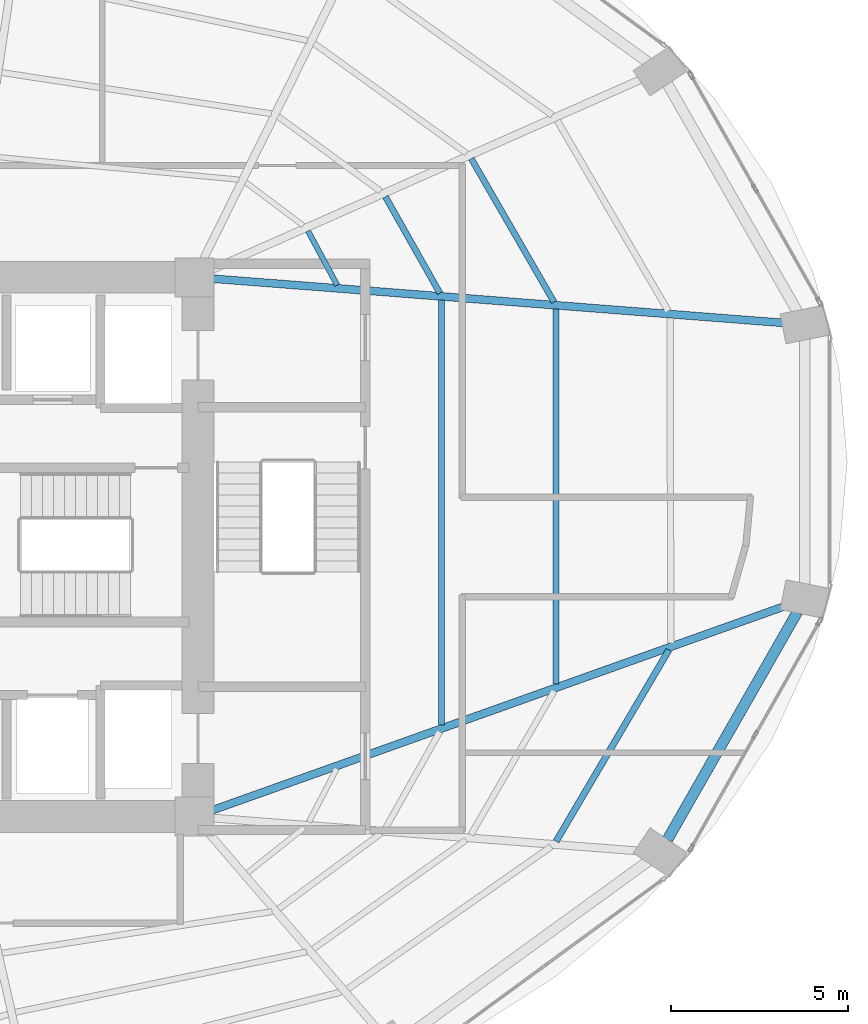
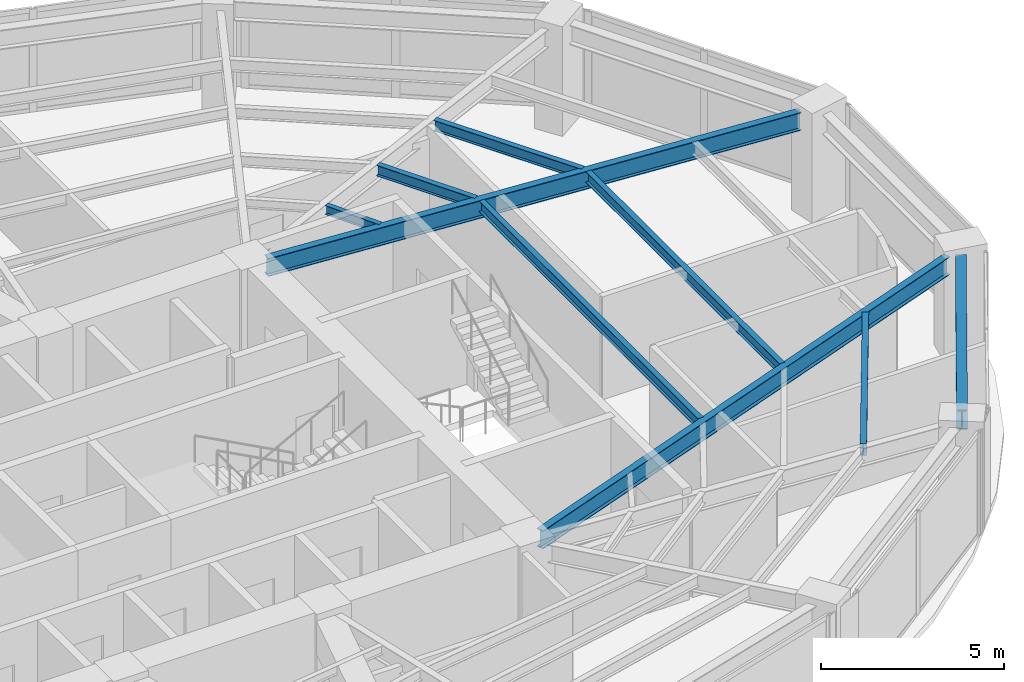
# One storey, part 11 of 24: 9 beams.
"""IFC4 building model written with IfcOpenShell, lengths in metres."""

from ifc_helpers import new_model, si_unit, direction, frame, origin, origin_2d, place, context, subcontext, project, spatial, i_section, extrude, material, material_profile, profile_set, type_object, element, save


model = new_model("IFC4")

# Units and contexts
model_context = context("Model", 3, precision=1e-05, world=origin(), true_north=direction((0.0, 1.0)))
body_context = subcontext(model_context, "Body", "Model", "MODEL_VIEW")
ifc_project = project(units=[si_unit("LENGTHUNIT", "METRE"), si_unit("AREAUNIT", "SQUARE_METRE"), si_unit("VOLUMEUNIT", "CUBIC_METRE"), si_unit("PLANEANGLEUNIT", "RADIAN"), si_unit("MASSUNIT", "GRAM", prefix="KILO")], contexts=[model_context])

# Site, building, storey
site_placement = place(None, origin())
site = spatial("IfcSite", under=ifc_project, at=site_placement, CompositionType="ELEMENT")
building_placement = place(site_placement, origin())
building = spatial("IfcBuilding", under=site, at=building_placement, Name="Lazwardi Medical Tower", CompositionType="ELEMENT")
storey_placement = place(building_placement, frame((0.0, 0.0, 36.14404296875)))
storey = spatial("IfcBuildingStorey", under=building, at=storey_placement, Name="L08", CompositionType="ELEMENT", Elevation=36.14404296875)

# Beams
ifc_material = material(Name="Steel S355", Category="steel")
ifc_material_profile_1 = material_profile(ifc_material, i_section(OverallWidth=0.300048828125, OverallDepth=0.64990234375, WebThickness=0.01611328125, FlangeThickness=0.031005859375, at=origin_2d()), Name="HEB 650")
ifc_profile_set_1 = profile_set([ifc_material_profile_1], Name="Steel S355")
beam_type_1 = type_object("IfcBeamType", Name="BM-RB-Z1", PredefinedType="BEAM", material=ifc_profile_set_1)
beam_1_placement = place(storey_placement, frame((58.927978515625, 19.75048828125, 3.10302734375), z_axis=(0.495829348644, 0.868419977328, 0.0), x_axis=(-0.868419977328, 0.495829348644, 0.0)))
element("IfcBeam", 1, at=beam_1_placement, inside=storey, type_object=beam_type_1, Name="Ring beam RB-02 B03 L08", PredefinedType="BEAM", context=body_context, shape_type="SweptSolid", body=[
    extrude(i_section(OverallWidth=0.300048828125, OverallDepth=0.64990234375, WebThickness=0.01611328125, FlangeThickness=0.031005859375, at=origin_2d()), origin(), (0.0, 0.0, 1.0), 7.38916015625),
])
ifc_material_profile_2 = material_profile(ifc_material, i_section(OverallWidth=0.219970703125, OverallDepth=0.60009765625, WebThickness=0.011962890625, FlangeThickness=0.01904296875, at=origin_2d()), Name="IPE 600")
ifc_profile_set_2 = profile_set([ifc_material_profile_2], Name="Steel S355")
beam_type_2 = type_object("IfcBeamType", Name="BM-RG-W1", PredefinedType="BEAM", material=ifc_profile_set_2)
beam_2_placement = place(storey_placement, frame((62.253662109375, 26.33740234375, 3.1279296875), z_axis=(-0.941925080425, -0.335823082688, 0.0), x_axis=(0.335823082688, -0.941925080425, 0.0)))
element("IfcBeam", 2, at=beam_2_placement, inside=storey, type_object=beam_type_2, Name="Radial girder RG-02 R04 L08", PredefinedType="BEAM", context=body_context, shape_type="SweptSolid", body=[
    extrude(i_section(OverallWidth=0.219970703125, OverallDepth=0.60009765625, WebThickness=0.011962890625, FlangeThickness=0.01904296875, at=origin_2d()), origin(), (0.0, 0.0, 1.0), 17.145263671875),
])
beam_3_placement = place(storey_placement, frame((62.2216796875, 34.3125, 3.1279296875), z_axis=(-0.997013942066, 0.077221754231, 0.0), x_axis=(-0.077221754231, -0.997013942066, 0.0)))
element("IfcBeam", 3, at=beam_3_placement, inside=storey, type_object=beam_type_2, Name="Radial girder RG-02 R05 L08", PredefinedType="BEAM", context=body_context, shape_type="SweptSolid", body=[
    extrude(i_section(OverallWidth=0.219970703125, OverallDepth=0.60009765625, WebThickness=0.011962890625, FlangeThickness=0.01904296875, at=origin_2d()), origin(), (0.0, 0.0, 1.0), 16.136474609375),
])
ifc_material_profile_3 = material_profile(ifc_material, i_section(OverallWidth=0.179931640625, OverallDepth=0.39990234375, WebThickness=0.008544921875, FlangeThickness=0.013427734375, at=origin_2d()), Name="IPE 400")
ifc_profile_set_3 = profile_set([ifc_material_profile_3], Name="Steel S355")
beam_type_3 = type_object("IfcBeamType", Name="BM-SJ-01", PredefinedType="JOIST", material=ifc_profile_set_3)
beam_4_placement = place(storey_placement, frame((55.793212890625, 19.70654296875, 3.22802734375), z_axis=(0.507886270937, 0.861424132349, 0.0), x_axis=(-0.861424132349, 0.507886270937, 0.0)))
element("IfcBeam", 4, at=beam_4_placement, inside=storey, type_object=beam_type_3, Name="Secondary joist SJ-01 R1 B03 L08", PredefinedType="JOIST", context=body_context, shape_type="SweptSolid", body=[
    extrude(i_section(OverallWidth=0.179931640625, OverallDepth=0.39990234375, WebThickness=0.008544921875, FlangeThickness=0.013427734375, at=origin_2d()), origin(), (0.0, 0.0, 1.0), 6.255859375),
])
ifc_material_profile_4 = material_profile(ifc_material, i_section(OverallWidth=0.169921875, OverallDepth=0.360107421875, WebThickness=0.008056640625, FlangeThickness=0.0126953125, at=origin_2d()), Name="IPE 360")
ifc_profile_set_4 = profile_set([ifc_material_profile_4], Name="Steel S355")
beam_type_4 = type_object("IfcBeamType", Name="BM-SJ-02", PredefinedType="JOIST", material=ifc_profile_set_4)
beam_5_placement = place(storey_placement, frame((55.793701171875, 24.139404296875, 3.248046875), z_axis=(-0.000670039821, 0.999999775523, 0.0), x_axis=(-0.999999775523, -0.000670039821, 0.0)))
element("IfcBeam", 5, at=beam_5_placement, inside=storey, type_object=beam_type_4, Name="Secondary joist SJ-02 R2 B04 L08", PredefinedType="JOIST", context=body_context, shape_type="SweptSolid", body=[
    extrude(i_section(OverallWidth=0.169921875, OverallDepth=0.360107421875, WebThickness=0.008056640625, FlangeThickness=0.0126953125, at=origin_2d()), origin(), (0.0, 0.0, 1.0), 10.566650390625),
])
beam_6_placement = place(storey_placement, frame((55.73388671875, 34.90185546875, 3.248046875), z_axis=(-0.499785866494, 0.866148998529, 0.0), x_axis=(-0.866148998529, -0.499785866494, 0.0)))
element("IfcBeam", 6, at=beam_6_placement, inside=storey, type_object=beam_type_4, Name="Secondary joist SJ-02 R2 B05 L08", PredefinedType="JOIST", context=body_context, shape_type="SweptSolid", body=[
    extrude(i_section(OverallWidth=0.169921875, OverallDepth=0.360107421875, WebThickness=0.008056640625, FlangeThickness=0.0126953125, at=origin_2d()), origin(), (0.0, 0.0, 1.0), 4.666015625),
])
beam_7_placement = place(storey_placement, frame((52.56396484375, 22.98779296875, 3.248046875), z_axis=(0.000387612685, 0.999999924878, 0.0), x_axis=(-0.999999924878, 0.000387612685, 0.0)))
element("IfcBeam", 7, at=beam_7_placement, inside=storey, type_object=beam_type_4, Name="Secondary joist SJ-02 R3 B04 L08", PredefinedType="JOIST", context=body_context, shape_type="SweptSolid", body=[
    extrude(i_section(OverallWidth=0.169921875, OverallDepth=0.360107421875, WebThickness=0.008056640625, FlangeThickness=0.0126953125, at=origin_2d()), origin(), (0.0, 0.0, 1.0), 11.96728515625),
])
beam_8_placement = place(storey_placement, frame((52.51708984375, 35.151611328125, 3.248046875), z_axis=(-0.491923287977, 0.870638546554, 0.0), x_axis=(-0.870638546554, -0.491923287977, 0.0)))
element("IfcBeam", 8, at=beam_8_placement, inside=storey, type_object=beam_type_4, Name="Secondary joist SJ-02 R3 B05 L08", PredefinedType="JOIST", context=body_context, shape_type="SweptSolid", body=[
    extrude(i_section(OverallWidth=0.169921875, OverallDepth=0.360107421875, WebThickness=0.008056640625, FlangeThickness=0.0126953125, at=origin_2d()), origin(), (0.0, 0.0, 1.0), 3.122802734375),
])
ifc_material_profile_5 = material_profile(ifc_material, i_section(OverallWidth=0.14990234375, OverallDepth=0.300048828125, WebThickness=0.007080078125, FlangeThickness=0.0107421875, at=origin_2d()), Name="IPE 300")
ifc_profile_set_5 = profile_set([ifc_material_profile_5], Name="Steel S355")
beam_type_5 = type_object("IfcBeamType", Name="BM-SJ-03", PredefinedType="JOIST", material=ifc_profile_set_5)
beam_9_placement = place(storey_placement, frame((49.623046875, 35.376953125, 3.278076171875), z_axis=(-0.473982292828, 0.880534375301, 0.0), x_axis=(-0.880534375301, -0.473982292828, 0.0)))
element("IfcBeam", 9, at=beam_9_placement, inside=storey, type_object=beam_type_5, Name="Secondary joist SJ-03 R4 B05 L08", PredefinedType="JOIST", context=body_context, shape_type="SweptSolid", body=[
    extrude(i_section(OverallWidth=0.14990234375, OverallDepth=0.300048828125, WebThickness=0.007080078125, FlangeThickness=0.0107421875, at=origin_2d()), origin(), (0.0, 0.0, 1.0), 1.734375),
])

save(model, "model.ifc")
